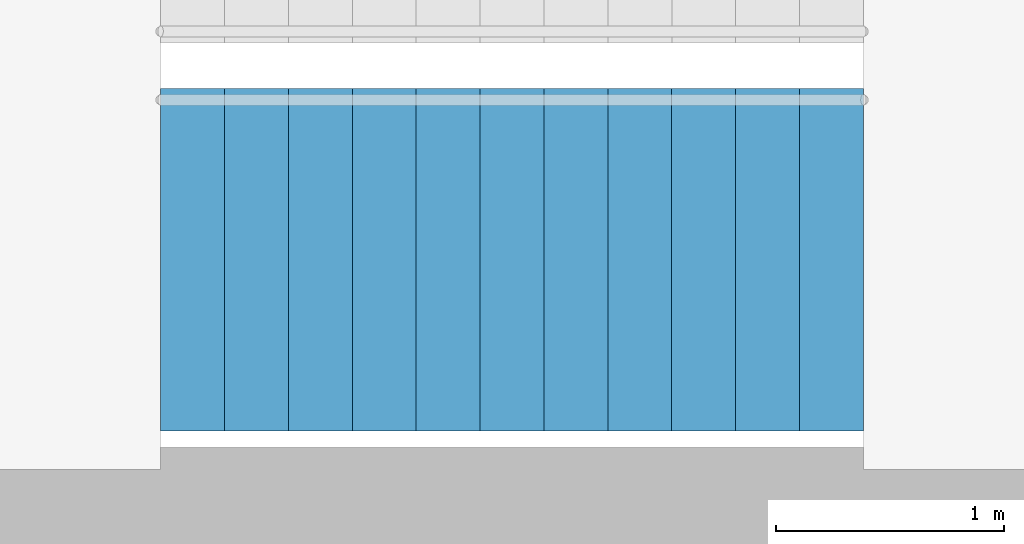
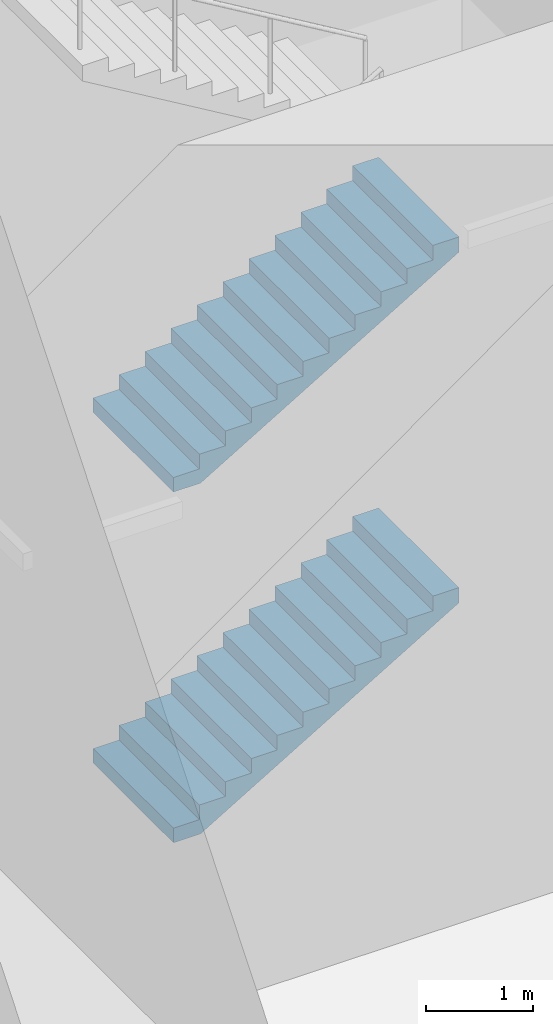
# One storey, part 30 of 74: 2 stair flights, 1 element without a shape of its own.
"""IFC4 building model written with IfcOpenShell, lengths in metres."""

from ifc_helpers import new_model, si_unit, direction, frame, origin, place, context, subcontext, project, spatial, triangles, material, type_object, element, aggregate, save


model = new_model("IFC4")

# Units and contexts
model_context = context("Model", 3, precision=1e-05, world=origin(), true_north=direction((0.0, 1.0)))
body_context = subcontext(model_context, "Body", "Model", "MODEL_VIEW")
ifc_project = project(units=[si_unit("LENGTHUNIT", "METRE"), si_unit("AREAUNIT", "SQUARE_METRE"), si_unit("VOLUMEUNIT", "CUBIC_METRE"), si_unit("PLANEANGLEUNIT", "RADIAN"), si_unit("MASSUNIT", "GRAM", prefix="KILO")], contexts=[model_context])

# Site, building, storey
site_placement = place(None, origin())
site = spatial("IfcSite", under=ifc_project, at=site_placement, CompositionType="ELEMENT")
building_placement = place(site_placement, origin())
building = spatial("IfcBuilding", under=site, at=building_placement, Name="Lantaw Convention Tower", CompositionType="ELEMENT")
storey_placement = place(building_placement, frame((0.0, 0.0, 6.5)))
storey = spatial("IfcBuildingStorey", under=building, at=storey_placement, Name="L01", CompositionType="ELEMENT", Elevation=6.5)

# Stair, stair flights
ifc_material = material(Name="Concrete C35/45", Category="concrete")
stair_type = type_object("IfcStairType", Name="Exit stair 1500 riser 166.67 in 4 flights", PredefinedType="HALF_TURN_STAIR", material=ifc_material)
stair_placement = place(storey_placement, origin())
stair = element("IfcStair", 1, at=stair_placement, inside=storey, type_object=stair_type, Name="Exit stair S1 L01", PredefinedType="HALF_TURN_STAIR")
stair_flight_type = type_object("IfcStairFlightType", Name="Stair flight 1500 riser 166.67", PredefinedType="STRAIGHT", material=ifc_material)
stair_flight_1_placement = place(storey_placement, frame((-10.580078125, -5.97998046875, 0.0), z_axis=(0.0, 0.0, 1.0), x_axis=(1.0, 0.0, 0.0)))
stair_flight_1 = element("IfcStairFlight", 2, at=stair_flight_1_placement, type_object=stair_flight_type, Name="S1 flight 1", NumberOfRisers=12, NumberOfTreads=11, PredefinedType="STRAIGHT", RiserHeight=0.166666667, TreadLength=0.28, context=body_context, shape_type="Tessellation", body=[
    triangles([(0.0, 0.75, 0.0), (0.0, 0.75, 0.166666667), (0.28, 0.75, 0.0), (0.28, 0.75, 0.166666667), (0.28, 0.75, 0.333333334), (0.29307345806906726, 0.75, 0.0), (0.29307345806906726, 0.75, 0.333333334), (0.56, 0.75, 0.15888484670522965), (0.56, 0.75, 0.333333334), (0.56, 0.75, 0.500000001), (0.8400000000000001, 0.75, 0.3255515137052296), (0.8400000000000001, 0.75, 0.500000001), (0.8400000000000001, 0.75, 0.666666668), (1.12, 0.75, 0.4922181807052296), (1.12, 0.75, 0.666666668), (1.12, 0.75, 0.833333335), (1.4000000000000001, 0.75, 0.6588848477052296), (1.4000000000000001, 0.75, 0.833333335), (1.4000000000000001, 0.75, 1.000000002), (1.6800000000000002, 0.75, 0.8255515147052296), (1.6800000000000002, 0.75, 1.000000002), (1.6800000000000002, 0.75, 1.166666669), (1.9600000000000002, 0.75, 0.9922181817052296), (1.9600000000000002, 0.75, 1.166666669), (1.9600000000000002, 0.75, 1.333333336), (2.24, 0.75, 1.1588848487052295), (2.24, 0.75, 1.333333336), (2.24, 0.75, 1.5000000029999998), (2.5200000000000005, 0.75, 1.3255515157052296), (2.5200000000000005, 0.75, 1.5000000029999998), (2.5200000000000005, 0.75, 1.66666667), (2.8000000000000003, 0.75, 1.4922181827052294), (2.8000000000000003, 0.75, 1.66666667), (2.8000000000000003, 0.75, 1.833333337), (3.08, 0.75, 1.6588848497052293), (3.08, 0.75, 1.833333337), (0.0, -0.75, 0.0), (0.0, -0.75, 0.166666667), (0.28, -0.75, 0.0), (0.28, -0.75, 0.166666667), (0.28, -0.75, 0.333333334), (0.29307345806906726, -0.75, 0.0), (0.29307345806906726, -0.75, 0.333333334), (0.56, -0.75, 0.15888484670522965), (0.56, -0.75, 0.333333334), (0.56, -0.75, 0.500000001), (0.8400000000000001, -0.75, 0.3255515137052296), (0.8400000000000001, -0.75, 0.500000001), (0.8400000000000001, -0.75, 0.666666668), (1.12, -0.75, 0.4922181807052296), (1.12, -0.75, 0.666666668), (1.12, -0.75, 0.833333335), (1.4000000000000001, -0.75, 0.6588848477052296), (1.4000000000000001, -0.75, 0.833333335), (1.4000000000000001, -0.75, 1.000000002), (1.6800000000000002, -0.75, 0.8255515147052296), (1.6800000000000002, -0.75, 1.000000002), (1.6800000000000002, -0.75, 1.166666669), (1.9600000000000002, -0.75, 0.9922181817052296), (1.9600000000000002, -0.75, 1.166666669), (1.9600000000000002, -0.75, 1.333333336), (2.24, -0.75, 1.1588848487052295), (2.24, -0.75, 1.333333336), (2.24, -0.75, 1.5000000029999998), (2.5200000000000005, -0.75, 1.3255515157052296), (2.5200000000000005, -0.75, 1.5000000029999998), (2.5200000000000005, -0.75, 1.66666667), (2.8000000000000003, -0.75, 1.4922181827052294), (2.8000000000000003, -0.75, 1.66666667), (2.8000000000000003, -0.75, 1.833333337), (3.08, -0.75, 1.6588848497052293), (3.08, -0.75, 1.833333337), (0.0, 0.15000000000000002, 0.166666667), (0.0, 0.15000000000000002, 0.0), (0.0, 0.0, 0.166666667), (0.0, 0.0, 0.0), (0.0, -0.15000000000000002, 0.166666667), (0.0, -0.15000000000000002, 0.0), (0.28, 0.15000000000000002, 0.333333334), (0.28, 0.15000000000000002, 0.166666667), (0.28, 0.0, 0.333333334), (0.28, 0.0, 0.166666667), (0.28, -0.15000000000000002, 0.333333334), (0.28, -0.15000000000000002, 0.166666667), (0.56, 0.15000000000000002, 0.500000001), (0.56, 0.15000000000000002, 0.333333334), (0.56, 0.0, 0.500000001), (0.56, 0.0, 0.333333334), (0.56, -0.15000000000000002, 0.500000001), (0.56, -0.15000000000000002, 0.333333334), (0.8400000000000001, 0.15000000000000002, 0.666666668), (0.8400000000000001, 0.15000000000000002, 0.500000001), (0.8400000000000001, 0.0, 0.666666668), (0.8400000000000001, 0.0, 0.500000001), (0.8400000000000001, -0.15000000000000002, 0.666666668), (0.8400000000000001, -0.15000000000000002, 0.500000001), (1.12, 0.15000000000000002, 0.833333335), (1.12, 0.15000000000000002, 0.666666668), (1.12, 0.0, 0.833333335), (1.12, 0.0, 0.666666668), (1.12, -0.15000000000000002, 0.833333335), (1.12, -0.15000000000000002, 0.666666668), (1.4000000000000001, 0.15000000000000002, 1.000000002), (1.4000000000000001, 0.15000000000000002, 0.833333335), (1.4000000000000001, 0.0, 1.000000002), (1.4000000000000001, 0.0, 0.833333335), (1.4000000000000001, -0.15000000000000002, 1.000000002), (1.4000000000000001, -0.15000000000000002, 0.833333335), (1.6800000000000002, 0.15000000000000002, 1.166666669), (1.6800000000000002, 0.15000000000000002, 1.000000002), (1.6800000000000002, 0.0, 1.166666669), (1.6800000000000002, 0.0, 1.000000002), (1.6800000000000002, -0.15000000000000002, 1.166666669), (1.6800000000000002, -0.15000000000000002, 1.000000002), (1.9600000000000002, 0.15000000000000002, 1.333333336), (1.9600000000000002, 0.15000000000000002, 1.166666669), (1.9600000000000002, 0.0, 1.333333336), (1.9600000000000002, 0.0, 1.166666669), (1.9600000000000002, -0.15000000000000002, 1.333333336), (1.9600000000000002, -0.15000000000000002, 1.166666669), (2.24, 0.15000000000000002, 1.5000000029999998), (2.24, 0.15000000000000002, 1.333333336), (2.24, 0.0, 1.5000000029999998), (2.24, 0.0, 1.333333336), (2.24, -0.15000000000000002, 1.5000000029999998), (2.24, -0.15000000000000002, 1.333333336), (2.5200000000000005, 0.15000000000000002, 1.66666667), (2.5200000000000005, 0.15000000000000002, 1.5000000029999998), (2.5200000000000005, 0.0, 1.66666667), (2.5200000000000005, 0.0, 1.5000000029999998), (2.5200000000000005, -0.15000000000000002, 1.66666667), (2.5200000000000005, -0.15000000000000002, 1.5000000029999998), (2.8000000000000003, 0.15000000000000002, 1.833333337), (2.8000000000000003, 0.15000000000000002, 1.66666667), (2.8000000000000003, 0.0, 1.833333337), (2.8000000000000003, 0.0, 1.66666667), (2.8000000000000003, -0.15000000000000002, 1.833333337), (2.8000000000000003, -0.15000000000000002, 1.66666667), (0.29307345806906726, 0.15000000000000002, 0.333333334), (0.29307345806906726, 0.0, 0.333333334), (0.29307345806906726, -0.15000000000000002, 0.333333334), (3.08, 0.15000000000000002, 1.833333337), (3.08, 0.0, 1.833333337), (3.08, -0.15000000000000002, 1.833333337), (3.08, 0.15000000000000002, 1.6588848497052293), (3.08, 0.0, 1.6588848497052293), (3.08, -0.15000000000000002, 1.6588848497052293), (2.8000000000000003, 0.15000000000000002, 1.4922181827052294), (2.8000000000000003, 0.0, 1.4922181827052294), (2.8000000000000003, -0.15000000000000002, 1.4922181827052294), (2.5200000000000005, 0.15000000000000002, 1.3255515157052296), (2.5200000000000005, 0.0, 1.3255515157052296), (2.5200000000000005, -0.15000000000000002, 1.3255515157052296), (2.24, 0.15000000000000002, 1.1588848487052295), (2.24, 0.0, 1.1588848487052295), (2.24, -0.15000000000000002, 1.1588848487052295), (1.9600000000000002, 0.15000000000000002, 0.9922181817052296), (1.9600000000000002, 0.0, 0.9922181817052296), (1.9600000000000002, -0.15000000000000002, 0.9922181817052296), (1.6800000000000002, 0.15000000000000002, 0.8255515147052296), (1.6800000000000002, 0.0, 0.8255515147052296), (1.6800000000000002, -0.15000000000000002, 0.8255515147052296), (1.4000000000000001, 0.15000000000000002, 0.6588848477052296), (1.4000000000000001, 0.0, 0.6588848477052296), (1.4000000000000001, -0.15000000000000002, 0.6588848477052296), (1.12, 0.15000000000000002, 0.4922181807052296), (1.12, 0.0, 0.4922181807052296), (1.12, -0.15000000000000002, 0.4922181807052296), (0.8400000000000001, 0.15000000000000002, 0.3255515137052296), (0.8400000000000001, 0.0, 0.3255515137052296), (0.8400000000000001, -0.15000000000000002, 0.3255515137052296), (0.56, 0.15000000000000002, 0.15888484670522965), (0.56, 0.0, 0.15888484670522965), (0.56, -0.15000000000000002, 0.15888484670522965), (0.29307345806906726, 0.15000000000000002, 0.0), (0.29307345806906726, 0.0, 0.0), (0.29307345806906726, -0.15000000000000002, 0.0), (0.28, 0.15000000000000002, 0.0), (0.28, 0.0, 0.0), (0.28, -0.15000000000000002, 0.0)], [[1, 4, 3], [1, 2, 4], [3, 4, 6], [4, 7, 6], [4, 5, 7], [6, 9, 8], [6, 7, 9], [8, 9, 11], [9, 12, 11], [9, 10, 12], [11, 12, 14], [12, 15, 14], [12, 13, 15], [14, 15, 17], [15, 18, 17], [15, 16, 18], [17, 18, 20], [18, 21, 20], [18, 19, 21], [20, 21, 23], [21, 24, 23], [21, 22, 24], [23, 24, 26], [24, 27, 26], [24, 25, 27], [26, 27, 29], [27, 30, 29], [27, 28, 30], [29, 30, 32], [30, 33, 32], [30, 31, 33], [32, 33, 35], [33, 36, 35], [33, 34, 36], [37, 39, 40], [37, 40, 38], [39, 42, 40], [40, 42, 43], [40, 43, 41], [42, 44, 45], [42, 45, 43], [44, 47, 45], [45, 47, 48], [45, 48, 46], [47, 50, 48], [48, 50, 51], [48, 51, 49], [50, 53, 51], [51, 53, 54], [51, 54, 52], [53, 56, 54], [54, 56, 57], [54, 57, 55], [56, 59, 57], [57, 59, 60], [57, 60, 58], [59, 62, 60], [60, 62, 63], [60, 63, 61], [62, 65, 63], [63, 65, 66], [63, 66, 64], [65, 68, 66], [66, 68, 69], [66, 69, 67], [68, 71, 69], [69, 71, 72], [69, 72, 70], [1, 73, 2], [1, 74, 73], [74, 75, 73], [74, 76, 75], [76, 77, 75], [76, 78, 77], [78, 38, 77], [78, 37, 38], [4, 79, 5], [4, 80, 79], [80, 81, 79], [80, 82, 81], [82, 83, 81], [82, 84, 83], [84, 41, 83], [84, 40, 41], [9, 85, 10], [9, 86, 85], [86, 87, 85], [86, 88, 87], [88, 89, 87], [88, 90, 89], [90, 46, 89], [90, 45, 46], [12, 91, 13], [12, 92, 91], [92, 93, 91], [92, 94, 93], [94, 95, 93], [94, 96, 95], [96, 49, 95], [96, 48, 49], [15, 97, 16], [15, 98, 97], [98, 99, 97], [98, 100, 99], [100, 101, 99], [100, 102, 101], [102, 52, 101], [102, 51, 52], [18, 103, 19], [18, 104, 103], [104, 105, 103], [104, 106, 105], [106, 107, 105], [106, 108, 107], [108, 55, 107], [108, 54, 55], [21, 109, 22], [21, 110, 109], [110, 111, 109], [110, 112, 111], [112, 113, 111], [112, 114, 113], [114, 58, 113], [114, 57, 58], [24, 115, 25], [24, 116, 115], [116, 117, 115], [116, 118, 117], [118, 119, 117], [118, 120, 119], [120, 61, 119], [120, 60, 61], [27, 121, 28], [27, 122, 121], [122, 123, 121], [122, 124, 123], [124, 125, 123], [124, 126, 125], [126, 64, 125], [126, 63, 64], [30, 127, 31], [30, 128, 127], [128, 129, 127], [128, 130, 129], [130, 131, 129], [130, 132, 131], [132, 67, 131], [132, 66, 67], [33, 133, 34], [33, 134, 133], [134, 135, 133], [134, 136, 135], [136, 137, 135], [136, 138, 137], [138, 70, 137], [138, 69, 70], [2, 80, 4], [2, 73, 80], [73, 82, 80], [73, 75, 82], [75, 84, 82], [75, 77, 84], [77, 40, 84], [77, 38, 40], [5, 139, 7], [5, 79, 139], [79, 140, 139], [79, 81, 140], [81, 141, 140], [81, 83, 141], [83, 43, 141], [83, 41, 43], [7, 86, 9], [7, 139, 86], [139, 88, 86], [139, 140, 88], [140, 90, 88], [140, 141, 90], [141, 45, 90], [141, 43, 45], [10, 92, 12], [10, 85, 92], [85, 94, 92], [85, 87, 94], [87, 96, 94], [87, 89, 96], [89, 48, 96], [89, 46, 48], [13, 98, 15], [13, 91, 98], [91, 100, 98], [91, 93, 100], [93, 102, 100], [93, 95, 102], [95, 51, 102], [95, 49, 51], [16, 104, 18], [16, 97, 104], [97, 106, 104], [97, 99, 106], [99, 108, 106], [99, 101, 108], [101, 54, 108], [101, 52, 54], [19, 110, 21], [19, 103, 110], [103, 112, 110], [103, 105, 112], [105, 114, 112], [105, 107, 114], [107, 57, 114], [107, 55, 57], [22, 116, 24], [22, 109, 116], [109, 118, 116], [109, 111, 118], [111, 120, 118], [111, 113, 120], [113, 60, 120], [113, 58, 60], [25, 122, 27], [25, 115, 122], [115, 124, 122], [115, 117, 124], [117, 126, 124], [117, 119, 126], [119, 63, 126], [119, 61, 63], [28, 128, 30], [28, 121, 128], [121, 130, 128], [121, 123, 130], [123, 132, 130], [123, 125, 132], [125, 66, 132], [125, 64, 66], [31, 134, 33], [31, 127, 134], [127, 136, 134], [127, 129, 136], [129, 138, 136], [129, 131, 138], [131, 69, 138], [131, 67, 69], [34, 142, 36], [34, 133, 142], [133, 143, 142], [133, 135, 143], [135, 144, 143], [135, 137, 144], [137, 72, 144], [137, 70, 72], [36, 145, 35], [36, 142, 145], [142, 146, 145], [142, 143, 146], [143, 147, 146], [143, 144, 147], [144, 71, 147], [144, 72, 71], [35, 148, 32], [35, 145, 148], [145, 149, 148], [145, 146, 149], [146, 150, 149], [146, 147, 150], [147, 68, 150], [147, 71, 68], [32, 151, 29], [32, 148, 151], [148, 152, 151], [148, 149, 152], [149, 153, 152], [149, 150, 153], [150, 65, 153], [150, 68, 65], [29, 154, 26], [29, 151, 154], [151, 155, 154], [151, 152, 155], [152, 156, 155], [152, 153, 156], [153, 62, 156], [153, 65, 62], [26, 157, 23], [26, 154, 157], [154, 158, 157], [154, 155, 158], [155, 159, 158], [155, 156, 159], [156, 59, 159], [156, 62, 59], [23, 160, 20], [23, 157, 160], [157, 161, 160], [157, 158, 161], [158, 162, 161], [158, 159, 162], [159, 56, 162], [159, 59, 56], [20, 163, 17], [20, 160, 163], [160, 164, 163], [160, 161, 164], [161, 165, 164], [161, 162, 165], [162, 53, 165], [162, 56, 53], [17, 166, 14], [17, 163, 166], [163, 167, 166], [163, 164, 167], [164, 168, 167], [164, 165, 168], [165, 50, 168], [165, 53, 50], [14, 169, 11], [14, 166, 169], [166, 170, 169], [166, 167, 170], [167, 171, 170], [167, 168, 171], [168, 47, 171], [168, 50, 47], [11, 172, 8], [11, 169, 172], [169, 173, 172], [169, 170, 173], [170, 174, 173], [170, 171, 174], [171, 44, 174], [171, 47, 44], [8, 175, 6], [8, 172, 175], [172, 176, 175], [172, 173, 176], [173, 177, 176], [173, 174, 177], [174, 42, 177], [174, 44, 42], [6, 178, 3], [6, 175, 178], [175, 179, 178], [175, 176, 179], [176, 180, 179], [176, 177, 180], [177, 39, 180], [177, 42, 39], [3, 74, 1], [3, 178, 74], [178, 76, 74], [178, 179, 76], [179, 78, 76], [179, 180, 78], [180, 37, 78], [180, 39, 37]], closed=True),
])
stair_flight_2_placement = place(storey_placement, frame((-10.580078125, -5.97998046875, 4.0), z_axis=(0.0, 0.0, 1.0), x_axis=(1.0, 0.0, 0.0)))
stair_flight_2 = element("IfcStairFlight", 3, at=stair_flight_2_placement, type_object=stair_flight_type, Name="S1 flight 3", NumberOfRisers=12, NumberOfTreads=11, PredefinedType="STRAIGHT", RiserHeight=0.166666667, TreadLength=0.28, context=body_context, shape_type="Tessellation", body=[
    triangles([(0.0, 0.75, 0.0), (0.0, 0.75, 0.166666667), (0.28, 0.75, 0.0), (0.28, 0.75, 0.166666667), (0.28, 0.75, 0.333333334), (0.29307345806906726, 0.75, 0.0), (0.29307345806906726, 0.75, 0.333333334), (0.56, 0.75, 0.15888484670522965), (0.56, 0.75, 0.333333334), (0.56, 0.75, 0.500000001), (0.8400000000000001, 0.75, 0.3255515137052296), (0.8400000000000001, 0.75, 0.500000001), (0.8400000000000001, 0.75, 0.666666668), (1.12, 0.75, 0.4922181807052296), (1.12, 0.75, 0.666666668), (1.12, 0.75, 0.833333335), (1.4000000000000001, 0.75, 0.6588848477052296), (1.4000000000000001, 0.75, 0.833333335), (1.4000000000000001, 0.75, 1.000000002), (1.6800000000000002, 0.75, 0.8255515147052296), (1.6800000000000002, 0.75, 1.000000002), (1.6800000000000002, 0.75, 1.166666669), (1.9600000000000002, 0.75, 0.9922181817052296), (1.9600000000000002, 0.75, 1.166666669), (1.9600000000000002, 0.75, 1.333333336), (2.24, 0.75, 1.1588848487052295), (2.24, 0.75, 1.333333336), (2.24, 0.75, 1.5000000029999998), (2.5200000000000005, 0.75, 1.3255515157052296), (2.5200000000000005, 0.75, 1.5000000029999998), (2.5200000000000005, 0.75, 1.66666667), (2.8000000000000003, 0.75, 1.4922181827052294), (2.8000000000000003, 0.75, 1.66666667), (2.8000000000000003, 0.75, 1.833333337), (3.08, 0.75, 1.6588848497052293), (3.08, 0.75, 1.833333337), (0.0, -0.75, 0.0), (0.0, -0.75, 0.166666667), (0.28, -0.75, 0.0), (0.28, -0.75, 0.166666667), (0.28, -0.75, 0.333333334), (0.29307345806906726, -0.75, 0.0), (0.29307345806906726, -0.75, 0.333333334), (0.56, -0.75, 0.15888484670522965), (0.56, -0.75, 0.333333334), (0.56, -0.75, 0.500000001), (0.8400000000000001, -0.75, 0.3255515137052296), (0.8400000000000001, -0.75, 0.500000001), (0.8400000000000001, -0.75, 0.666666668), (1.12, -0.75, 0.4922181807052296), (1.12, -0.75, 0.666666668), (1.12, -0.75, 0.833333335), (1.4000000000000001, -0.75, 0.6588848477052296), (1.4000000000000001, -0.75, 0.833333335), (1.4000000000000001, -0.75, 1.000000002), (1.6800000000000002, -0.75, 0.8255515147052296), (1.6800000000000002, -0.75, 1.000000002), (1.6800000000000002, -0.75, 1.166666669), (1.9600000000000002, -0.75, 0.9922181817052296), (1.9600000000000002, -0.75, 1.166666669), (1.9600000000000002, -0.75, 1.333333336), (2.24, -0.75, 1.1588848487052295), (2.24, -0.75, 1.333333336), (2.24, -0.75, 1.5000000029999998), (2.5200000000000005, -0.75, 1.3255515157052296), (2.5200000000000005, -0.75, 1.5000000029999998), (2.5200000000000005, -0.75, 1.66666667), (2.8000000000000003, -0.75, 1.4922181827052294), (2.8000000000000003, -0.75, 1.66666667), (2.8000000000000003, -0.75, 1.833333337), (3.08, -0.75, 1.6588848497052293), (3.08, -0.75, 1.833333337), (0.0, 0.15000000000000002, 0.166666667), (0.0, 0.15000000000000002, 0.0), (0.0, 0.0, 0.166666667), (0.0, 0.0, 0.0), (0.0, -0.15000000000000002, 0.166666667), (0.0, -0.15000000000000002, 0.0), (0.28, 0.15000000000000002, 0.333333334), (0.28, 0.15000000000000002, 0.166666667), (0.28, 0.0, 0.333333334), (0.28, 0.0, 0.166666667), (0.28, -0.15000000000000002, 0.333333334), (0.28, -0.15000000000000002, 0.166666667), (0.56, 0.15000000000000002, 0.500000001), (0.56, 0.15000000000000002, 0.333333334), (0.56, 0.0, 0.500000001), (0.56, 0.0, 0.333333334), (0.56, -0.15000000000000002, 0.500000001), (0.56, -0.15000000000000002, 0.333333334), (0.8400000000000001, 0.15000000000000002, 0.666666668), (0.8400000000000001, 0.15000000000000002, 0.500000001), (0.8400000000000001, 0.0, 0.666666668), (0.8400000000000001, 0.0, 0.500000001), (0.8400000000000001, -0.15000000000000002, 0.666666668), (0.8400000000000001, -0.15000000000000002, 0.500000001), (1.12, 0.15000000000000002, 0.833333335), (1.12, 0.15000000000000002, 0.666666668), (1.12, 0.0, 0.833333335), (1.12, 0.0, 0.666666668), (1.12, -0.15000000000000002, 0.833333335), (1.12, -0.15000000000000002, 0.666666668), (1.4000000000000001, 0.15000000000000002, 1.000000002), (1.4000000000000001, 0.15000000000000002, 0.833333335), (1.4000000000000001, 0.0, 1.000000002), (1.4000000000000001, 0.0, 0.833333335), (1.4000000000000001, -0.15000000000000002, 1.000000002), (1.4000000000000001, -0.15000000000000002, 0.833333335), (1.6800000000000002, 0.15000000000000002, 1.166666669), (1.6800000000000002, 0.15000000000000002, 1.000000002), (1.6800000000000002, 0.0, 1.166666669), (1.6800000000000002, 0.0, 1.000000002), (1.6800000000000002, -0.15000000000000002, 1.166666669), (1.6800000000000002, -0.15000000000000002, 1.000000002), (1.9600000000000002, 0.15000000000000002, 1.333333336), (1.9600000000000002, 0.15000000000000002, 1.166666669), (1.9600000000000002, 0.0, 1.333333336), (1.9600000000000002, 0.0, 1.166666669), (1.9600000000000002, -0.15000000000000002, 1.333333336), (1.9600000000000002, -0.15000000000000002, 1.166666669), (2.24, 0.15000000000000002, 1.5000000029999998), (2.24, 0.15000000000000002, 1.333333336), (2.24, 0.0, 1.5000000029999998), (2.24, 0.0, 1.333333336), (2.24, -0.15000000000000002, 1.5000000029999998), (2.24, -0.15000000000000002, 1.333333336), (2.5200000000000005, 0.15000000000000002, 1.66666667), (2.5200000000000005, 0.15000000000000002, 1.5000000029999998), (2.5200000000000005, 0.0, 1.66666667), (2.5200000000000005, 0.0, 1.5000000029999998), (2.5200000000000005, -0.15000000000000002, 1.66666667), (2.5200000000000005, -0.15000000000000002, 1.5000000029999998), (2.8000000000000003, 0.15000000000000002, 1.833333337), (2.8000000000000003, 0.15000000000000002, 1.66666667), (2.8000000000000003, 0.0, 1.833333337), (2.8000000000000003, 0.0, 1.66666667), (2.8000000000000003, -0.15000000000000002, 1.833333337), (2.8000000000000003, -0.15000000000000002, 1.66666667), (0.29307345806906726, 0.15000000000000002, 0.333333334), (0.29307345806906726, 0.0, 0.333333334), (0.29307345806906726, -0.15000000000000002, 0.333333334), (3.08, 0.15000000000000002, 1.833333337), (3.08, 0.0, 1.833333337), (3.08, -0.15000000000000002, 1.833333337), (3.08, 0.15000000000000002, 1.6588848497052293), (3.08, 0.0, 1.6588848497052293), (3.08, -0.15000000000000002, 1.6588848497052293), (2.8000000000000003, 0.15000000000000002, 1.4922181827052294), (2.8000000000000003, 0.0, 1.4922181827052294), (2.8000000000000003, -0.15000000000000002, 1.4922181827052294), (2.5200000000000005, 0.15000000000000002, 1.3255515157052296), (2.5200000000000005, 0.0, 1.3255515157052296), (2.5200000000000005, -0.15000000000000002, 1.3255515157052296), (2.24, 0.15000000000000002, 1.1588848487052295), (2.24, 0.0, 1.1588848487052295), (2.24, -0.15000000000000002, 1.1588848487052295), (1.9600000000000002, 0.15000000000000002, 0.9922181817052296), (1.9600000000000002, 0.0, 0.9922181817052296), (1.9600000000000002, -0.15000000000000002, 0.9922181817052296), (1.6800000000000002, 0.15000000000000002, 0.8255515147052296), (1.6800000000000002, 0.0, 0.8255515147052296), (1.6800000000000002, -0.15000000000000002, 0.8255515147052296), (1.4000000000000001, 0.15000000000000002, 0.6588848477052296), (1.4000000000000001, 0.0, 0.6588848477052296), (1.4000000000000001, -0.15000000000000002, 0.6588848477052296), (1.12, 0.15000000000000002, 0.4922181807052296), (1.12, 0.0, 0.4922181807052296), (1.12, -0.15000000000000002, 0.4922181807052296), (0.8400000000000001, 0.15000000000000002, 0.3255515137052296), (0.8400000000000001, 0.0, 0.3255515137052296), (0.8400000000000001, -0.15000000000000002, 0.3255515137052296), (0.56, 0.15000000000000002, 0.15888484670522965), (0.56, 0.0, 0.15888484670522965), (0.56, -0.15000000000000002, 0.15888484670522965), (0.29307345806906726, 0.15000000000000002, 0.0), (0.29307345806906726, 0.0, 0.0), (0.29307345806906726, -0.15000000000000002, 0.0), (0.28, 0.15000000000000002, 0.0), (0.28, 0.0, 0.0), (0.28, -0.15000000000000002, 0.0)], [[1, 4, 3], [1, 2, 4], [3, 4, 6], [4, 7, 6], [4, 5, 7], [6, 9, 8], [6, 7, 9], [8, 9, 11], [9, 12, 11], [9, 10, 12], [11, 12, 14], [12, 15, 14], [12, 13, 15], [14, 15, 17], [15, 18, 17], [15, 16, 18], [17, 18, 20], [18, 21, 20], [18, 19, 21], [20, 21, 23], [21, 24, 23], [21, 22, 24], [23, 24, 26], [24, 27, 26], [24, 25, 27], [26, 27, 29], [27, 30, 29], [27, 28, 30], [29, 30, 32], [30, 33, 32], [30, 31, 33], [32, 33, 35], [33, 36, 35], [33, 34, 36], [37, 39, 40], [37, 40, 38], [39, 42, 40], [40, 42, 43], [40, 43, 41], [42, 44, 45], [42, 45, 43], [44, 47, 45], [45, 47, 48], [45, 48, 46], [47, 50, 48], [48, 50, 51], [48, 51, 49], [50, 53, 51], [51, 53, 54], [51, 54, 52], [53, 56, 54], [54, 56, 57], [54, 57, 55], [56, 59, 57], [57, 59, 60], [57, 60, 58], [59, 62, 60], [60, 62, 63], [60, 63, 61], [62, 65, 63], [63, 65, 66], [63, 66, 64], [65, 68, 66], [66, 68, 69], [66, 69, 67], [68, 71, 69], [69, 71, 72], [69, 72, 70], [1, 73, 2], [1, 74, 73], [74, 75, 73], [74, 76, 75], [76, 77, 75], [76, 78, 77], [78, 38, 77], [78, 37, 38], [4, 79, 5], [4, 80, 79], [80, 81, 79], [80, 82, 81], [82, 83, 81], [82, 84, 83], [84, 41, 83], [84, 40, 41], [9, 85, 10], [9, 86, 85], [86, 87, 85], [86, 88, 87], [88, 89, 87], [88, 90, 89], [90, 46, 89], [90, 45, 46], [12, 91, 13], [12, 92, 91], [92, 93, 91], [92, 94, 93], [94, 95, 93], [94, 96, 95], [96, 49, 95], [96, 48, 49], [15, 97, 16], [15, 98, 97], [98, 99, 97], [98, 100, 99], [100, 101, 99], [100, 102, 101], [102, 52, 101], [102, 51, 52], [18, 103, 19], [18, 104, 103], [104, 105, 103], [104, 106, 105], [106, 107, 105], [106, 108, 107], [108, 55, 107], [108, 54, 55], [21, 109, 22], [21, 110, 109], [110, 111, 109], [110, 112, 111], [112, 113, 111], [112, 114, 113], [114, 58, 113], [114, 57, 58], [24, 115, 25], [24, 116, 115], [116, 117, 115], [116, 118, 117], [118, 119, 117], [118, 120, 119], [120, 61, 119], [120, 60, 61], [27, 121, 28], [27, 122, 121], [122, 123, 121], [122, 124, 123], [124, 125, 123], [124, 126, 125], [126, 64, 125], [126, 63, 64], [30, 127, 31], [30, 128, 127], [128, 129, 127], [128, 130, 129], [130, 131, 129], [130, 132, 131], [132, 67, 131], [132, 66, 67], [33, 133, 34], [33, 134, 133], [134, 135, 133], [134, 136, 135], [136, 137, 135], [136, 138, 137], [138, 70, 137], [138, 69, 70], [2, 80, 4], [2, 73, 80], [73, 82, 80], [73, 75, 82], [75, 84, 82], [75, 77, 84], [77, 40, 84], [77, 38, 40], [5, 139, 7], [5, 79, 139], [79, 140, 139], [79, 81, 140], [81, 141, 140], [81, 83, 141], [83, 43, 141], [83, 41, 43], [7, 86, 9], [7, 139, 86], [139, 88, 86], [139, 140, 88], [140, 90, 88], [140, 141, 90], [141, 45, 90], [141, 43, 45], [10, 92, 12], [10, 85, 92], [85, 94, 92], [85, 87, 94], [87, 96, 94], [87, 89, 96], [89, 48, 96], [89, 46, 48], [13, 98, 15], [13, 91, 98], [91, 100, 98], [91, 93, 100], [93, 102, 100], [93, 95, 102], [95, 51, 102], [95, 49, 51], [16, 104, 18], [16, 97, 104], [97, 106, 104], [97, 99, 106], [99, 108, 106], [99, 101, 108], [101, 54, 108], [101, 52, 54], [19, 110, 21], [19, 103, 110], [103, 112, 110], [103, 105, 112], [105, 114, 112], [105, 107, 114], [107, 57, 114], [107, 55, 57], [22, 116, 24], [22, 109, 116], [109, 118, 116], [109, 111, 118], [111, 120, 118], [111, 113, 120], [113, 60, 120], [113, 58, 60], [25, 122, 27], [25, 115, 122], [115, 124, 122], [115, 117, 124], [117, 126, 124], [117, 119, 126], [119, 63, 126], [119, 61, 63], [28, 128, 30], [28, 121, 128], [121, 130, 128], [121, 123, 130], [123, 132, 130], [123, 125, 132], [125, 66, 132], [125, 64, 66], [31, 134, 33], [31, 127, 134], [127, 136, 134], [127, 129, 136], [129, 138, 136], [129, 131, 138], [131, 69, 138], [131, 67, 69], [34, 142, 36], [34, 133, 142], [133, 143, 142], [133, 135, 143], [135, 144, 143], [135, 137, 144], [137, 72, 144], [137, 70, 72], [36, 145, 35], [36, 142, 145], [142, 146, 145], [142, 143, 146], [143, 147, 146], [143, 144, 147], [144, 71, 147], [144, 72, 71], [35, 148, 32], [35, 145, 148], [145, 149, 148], [145, 146, 149], [146, 150, 149], [146, 147, 150], [147, 68, 150], [147, 71, 68], [32, 151, 29], [32, 148, 151], [148, 152, 151], [148, 149, 152], [149, 153, 152], [149, 150, 153], [150, 65, 153], [150, 68, 65], [29, 154, 26], [29, 151, 154], [151, 155, 154], [151, 152, 155], [152, 156, 155], [152, 153, 156], [153, 62, 156], [153, 65, 62], [26, 157, 23], [26, 154, 157], [154, 158, 157], [154, 155, 158], [155, 159, 158], [155, 156, 159], [156, 59, 159], [156, 62, 59], [23, 160, 20], [23, 157, 160], [157, 161, 160], [157, 158, 161], [158, 162, 161], [158, 159, 162], [159, 56, 162], [159, 59, 56], [20, 163, 17], [20, 160, 163], [160, 164, 163], [160, 161, 164], [161, 165, 164], [161, 162, 165], [162, 53, 165], [162, 56, 53], [17, 166, 14], [17, 163, 166], [163, 167, 166], [163, 164, 167], [164, 168, 167], [164, 165, 168], [165, 50, 168], [165, 53, 50], [14, 169, 11], [14, 166, 169], [166, 170, 169], [166, 167, 170], [167, 171, 170], [167, 168, 171], [168, 47, 171], [168, 50, 47], [11, 172, 8], [11, 169, 172], [169, 173, 172], [169, 170, 173], [170, 174, 173], [170, 171, 174], [171, 44, 174], [171, 47, 44], [8, 175, 6], [8, 172, 175], [172, 176, 175], [172, 173, 176], [173, 177, 176], [173, 174, 177], [174, 42, 177], [174, 44, 42], [6, 178, 3], [6, 175, 178], [175, 179, 178], [175, 176, 179], [176, 180, 179], [176, 177, 180], [177, 39, 180], [177, 42, 39], [3, 74, 1], [3, 178, 74], [178, 76, 74], [178, 179, 76], [179, 78, 76], [179, 180, 78], [180, 37, 78], [180, 39, 37]], closed=True),
])
aggregate(stair, [stair_flight_1, stair_flight_2])

save(model, "model.ifc")
